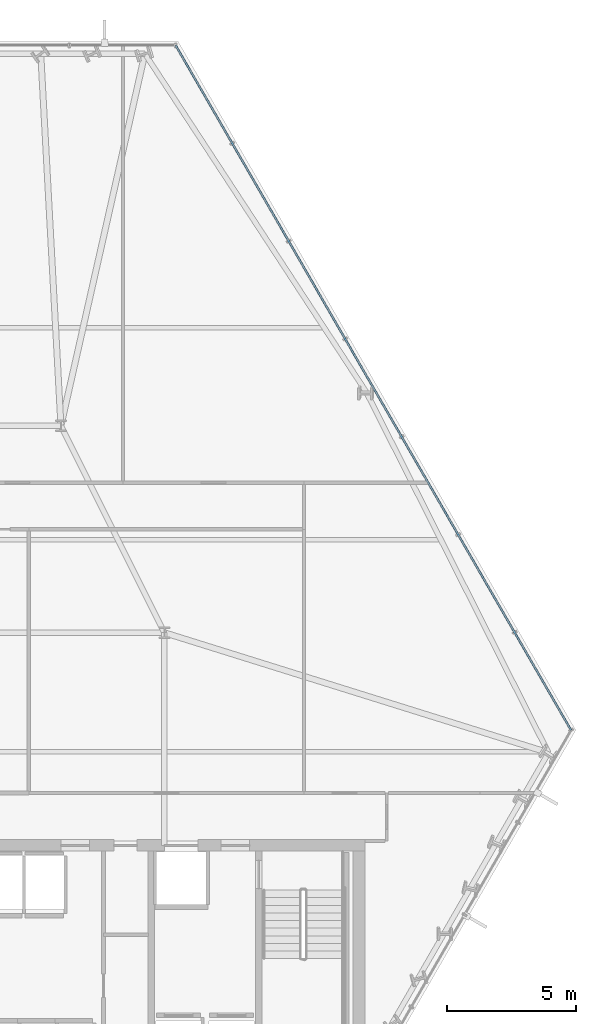
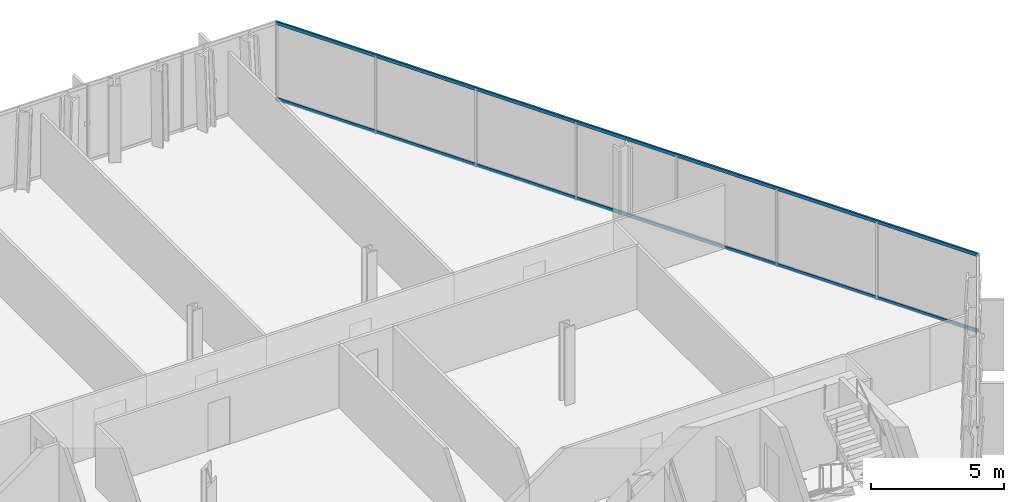
# One storey, part 18 of 33: 2 members, 1 element without a shape of its own.
"""IFC4 building model written with IfcOpenShell, lengths in metres."""

from ifc_helpers import new_model, si_unit, direction, frame, origin, origin_2d, place, context, subcontext, project, spatial, hollow_rectangle, extrude, material, layer, layer_set, material_profile, profile_set, type_object, element, aggregate, save


model = new_model("IFC4")

# Units and contexts
model_context = context("Model", 3, precision=1e-05, world=origin(), true_north=direction((0.0, 1.0)))
body_context = subcontext(model_context, "Body", "Model", "MODEL_VIEW")
ifc_project = project(units=[si_unit("LENGTHUNIT", "METRE"), si_unit("AREAUNIT", "SQUARE_METRE"), si_unit("VOLUMEUNIT", "CUBIC_METRE"), si_unit("PLANEANGLEUNIT", "RADIAN"), si_unit("MASSUNIT", "GRAM", prefix="KILO")], contexts=[model_context])

# Site, building, storey
site_placement = place(None, origin())
site = spatial("IfcSite", under=ifc_project, at=site_placement, CompositionType="ELEMENT")
building_placement = place(site_placement, origin())
building = spatial("IfcBuilding", under=site, at=building_placement, Name="Ndaravel Arena Tower", CompositionType="ELEMENT")
storey_placement = place(building_placement, frame((0.0, 0.0, 43.60009765625)))
storey = spatial("IfcBuildingStorey", under=building, at=storey_placement, Name="L08", CompositionType="ELEMENT", Elevation=43.60009765625)

# Curtain wall, members
ifc_material_1 = material(Name="Aluminium", Category="aluminium")
ifc_layer = layer(ifc_material_1, 0.179931640625)
ifc_layer_set = layer_set([ifc_layer], Name="Aluminium")
curtain_wall_type = type_object("IfcCurtainWallType", Name="CW-SYS-03", PredefinedType="NOTDEFINED", material=ifc_layer_set)
curtain_wall_placement = place(storey_placement, origin())
curtain_wall = element("IfcCurtainWall", 1, at=curtain_wall_placement, inside=storey, type_object=curtain_wall_type, Name="L08 Faceted Crystal Curtain Wall CW-L08-E03", PredefinedType="NOTDEFINED")
ifc_material_2 = material(Name="Aluminium", Category="aluminium")
ifc_material_profile = material_profile(ifc_material_2, hollow_rectangle(XDim=0.074951171875, YDim=0.14990234375, WallThickness=0.00390625, at=origin_2d()), Name="CW TRANSOM 75x150x4")
ifc_profile_set = profile_set([ifc_material_profile], Name="Aluminium")
member_type = type_object("IfcMemberType", Name="MEM-CW-TRN150", PredefinedType="USERDEFINED", material=ifc_profile_set)
member_1_placement = place(storey_placement, frame((65.527099609375, 19.429931640625, 0.039794921875), z_axis=(-0.500002605586, 0.866023899444, 0.0), x_axis=(-0.866023899444, -0.500002605586, 0.0)))
member_1 = element("IfcMember", 2, at=member_1_placement, type_object=member_type, Name="CW-L08-E03 Transom 01", ObjectType="TRANSOM", PredefinedType="USERDEFINED", context=body_context, shape_type="SweptSolid", body=[
    extrude(hollow_rectangle(XDim=0.074951171875, YDim=0.14990234375, WallThickness=0.00390625, at=origin_2d()), origin(), (0.0, 0.0, 1.0), 30.576416015625),
])
member_2_placement = place(storey_placement, frame((65.527099609375, 19.429931640625, 3.539794921875), z_axis=(-0.500002605586, 0.866023899444, 0.0), x_axis=(-0.866023899444, -0.500002605586, 0.0)))
member_2 = element("IfcMember", 3, at=member_2_placement, type_object=member_type, Name="CW-L08-E03 Transom 02", ObjectType="TRANSOM", PredefinedType="USERDEFINED", context=body_context, shape_type="SweptSolid", body=[
    extrude(hollow_rectangle(XDim=0.074951171875, YDim=0.14990234375, WallThickness=0.00390625, at=origin_2d()), origin(), (0.0, 0.0, 1.0), 30.576416015625),
])
aggregate(curtain_wall, [member_1, member_2])

save(model, "model.ifc")
